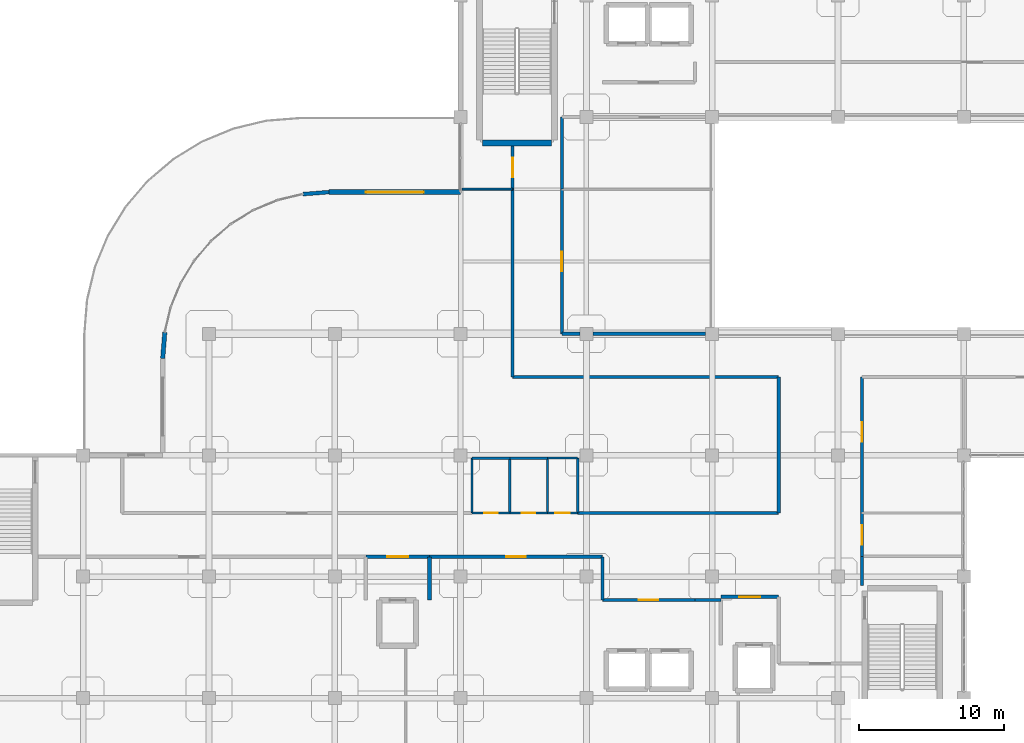
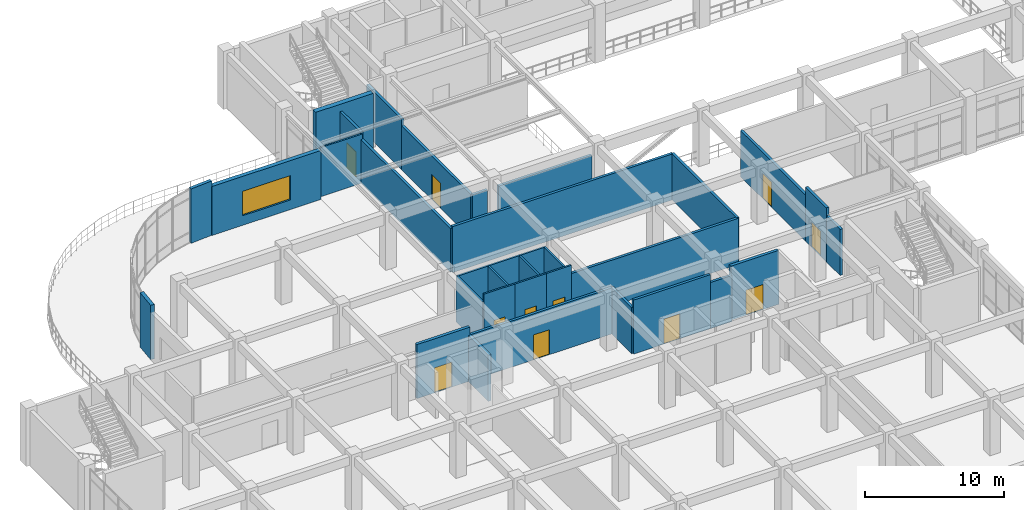
# One storey, part 100 of 120: 34 walls, 11 doors, 1 window, 12 openings.
"""IFC4 building model written with IfcOpenShell, lengths in metres."""

from ifc_helpers import new_model, si_unit, derived_unit, direction, frame, frame_2d, origin, place, context, subcontext, project, spatial, rectangle, extrude, material, layer, layer_set, type_object, element, fill, save


model = new_model("IFC4")

# Units and contexts
model_context = context("Model", 3, precision=1e-05, world=origin(), true_north=direction((0.0, 1.0)))
body_context = subcontext(model_context, "Body", "Model", "MODEL_VIEW")
ifc_project = project(units=[si_unit("LENGTHUNIT", "METRE"), si_unit("AREAUNIT", "SQUARE_METRE"), si_unit("VOLUMEUNIT", "CUBIC_METRE"), si_unit("PLANEANGLEUNIT", "RADIAN"), si_unit("MASSUNIT", "GRAM", prefix="KILO"), derived_unit("THERMALTRANSMITTANCEUNIT", [(si_unit("MASSUNIT", "GRAM", prefix="KILO"), 1), (si_unit("TIMEUNIT", "SECOND"), -3), (si_unit("THERMODYNAMICTEMPERATUREUNIT", "KELVIN"), -1)])], contexts=[model_context])

# Site, building, storey
site_placement = place(None, origin())
site = spatial("IfcSite", under=ifc_project, at=site_placement, CompositionType="ELEMENT")
building_placement = place(site_placement, origin())
building = spatial("IfcBuilding", under=site, at=building_placement, Name="Qinzheling Arcade Emporium", CompositionType="ELEMENT")
storey_placement = place(building_placement, frame((0.0, 0.0, 11.39990234375)))
storey = spatial("IfcBuildingStorey", under=building, at=storey_placement, Name="L03", CompositionType="ELEMENT", Elevation=11.39990234375)

# Wall, opening, door
ifc_material_1 = material(Name="Double-stud acoustic gypsum board partition")
ifc_layer_1 = layer(ifc_material_1, 0.215087890625, Name="Double-stud acoustic gypsum board partition")
ifc_layer_set_1 = layer_set([ifc_layer_1], Name="Double-stud acoustic gypsum board partition")
wall_type_1 = type_object("IfcWallType", Name="Acoustic Corridor Partition Wall 215", PredefinedType="PARTITIONING", material=ifc_layer_set_1)
wall_1_placement = place(storey_placement, frame((44.60009765625, 32.0, 0.0), z_axis=(0.0, 0.0, 1.0), x_axis=(1.0, 0.0, 0.0)))
wall_1 = element("IfcWall", 1, at=wall_1_placement, inside=storey, type_object=wall_type_1, Name="Interior Wall WL-L03-INT-0440", PredefinedType="PARTITIONING", context=body_context, shape_type="SweptSolid", body=[
    extrude(rectangle(XDim=6.39990234375, YDim=0.215087890625, at=frame_2d((3.199951171875, 0.0))), origin(), (0.0, 0.0, 1.0), 4.760009765625),
])
opening_1_placement = place(wall_1_placement, frame((2.52490234375, 0.0, 0.0)))
opening_1 = element("IfcOpeningElement", 2, at=opening_1_placement, cuts=wall_1, Name="Opening FD05", PredefinedType="OPENING", context=body_context, shape_type="SweptSolid", body=[
    extrude(rectangle(XDim=1.35009765625, YDim=2.199951171875, at=frame_2d((0.675048828125, 1.10009765625))), frame((0.0, 0.11767578125, 0.0), z_axis=(0.0, -1.0, 0.0), x_axis=(1.0, 0.0, 0.0)), (0.0, 0.0, 1.0), 0.235107421875),
])
ifc_material_2 = material(Name="Class B fire-rated stainless-clad door")
door_type_1 = type_object("IfcDoorType", Name="Kitchen Fire-Rated Service Door 1350x2200", OperationType="NOTDEFINED", PredefinedType="DOOR", material=ifc_material_2)
door_1_placement = place(opening_1_placement, origin())
door_1 = element("IfcDoor", 3, at=door_1_placement, inside=storey, type_object=door_type_1, Name="FD05 Interior Door DR-L03-INT-0121", OperationType="SINGLE_SWING_LEFT", OverallHeight=2.199951171875, OverallWidth=1.35009765625, PredefinedType="DOOR", context=body_context, shape_type="SweptSolid", body=[
    extrude(rectangle(XDim=1.35009765625, YDim=2.199951171875, at=frame_2d((0.675048828125, 1.10009765625))), frame((0.0, 0.02490234375, 0.0), z_axis=(0.0, -1.0, 0.0), x_axis=(1.0, 0.0, 0.0)), (0.0, 0.0, 1.0), 0.050048828125),
])
fill(opening_1, door_1)

wall_2_placement = place(storey_placement, frame((62.550048828125, 47.39990234375, 0.0), z_axis=(0.0, 0.0, 1.0), x_axis=(0.0, -1.0, 0.0)))
wall_2 = element("IfcWall", 4, at=wall_2_placement, inside=storey, type_object=wall_type_1, Name="Interior Wall WL-L03-INT-0467", PredefinedType="PARTITIONING", context=body_context, shape_type="SweptSolid", body=[
    extrude(rectangle(XDim=9.39990234375, YDim=0.215087890625, at=frame_2d((4.699951171875, 0.0))), origin(), (0.0, 0.0, 1.0), 4.06005859375),
])
opening_2_placement = place(wall_2_placement, frame((3.125, 0.0, 0.0)))
opening_2 = element("IfcOpeningElement", 5, at=opening_2_placement, cuts=wall_2, Name="Opening FD05", PredefinedType="OPENING", context=body_context, shape_type="SweptSolid", body=[
    extrude(rectangle(XDim=1.35009765625, YDim=2.199951171875, at=frame_2d((0.675048828125, 1.10009765625))), frame((0.0, 0.11767578125, 0.0), z_axis=(0.0, -1.0, 0.0), x_axis=(1.0, 0.0, 0.0)), (0.0, 0.0, 1.0), 0.235107421875),
])
door_2_placement = place(opening_2_placement, origin())
door_2 = element("IfcDoor", 6, at=door_2_placement, inside=storey, type_object=door_type_1, Name="FD05 Interior Door DR-L03-INT-0131", OperationType="SINGLE_SWING_LEFT", OverallHeight=2.199951171875, OverallWidth=1.35009765625, PredefinedType="DOOR", context=body_context, shape_type="SweptSolid", body=[
    extrude(rectangle(XDim=1.35009765625, YDim=2.199951171875, at=frame_2d((0.675048828125, 1.10009765625))), frame((0.0, 0.02490234375, 0.0), z_axis=(0.0, -1.0, 0.0), x_axis=(1.0, 0.0, 0.0)), (0.0, 0.0, 1.0), 0.050048828125),
])
fill(opening_2, door_2)

# Walls
wall_3_placement = place(storey_placement, frame((42.89990234375, 38.0, 0.0), z_axis=(0.0, 0.0, 1.0), x_axis=(1.0, 0.0, 0.0)))
element("IfcWall", 7, at=wall_3_placement, inside=storey, type_object=wall_type_1, Name="Interior Wall WL-L03-INT-0470", PredefinedType="PARTITIONING", context=body_context, shape_type="SweptSolid", body=[
    extrude(rectangle(XDim=13.900146484375, YDim=0.215087890625, at=frame_2d((6.9501953125, 0.0))), origin(), (0.0, 0.0, 1.0), 4.06005859375),
])
wall_4_placement = place(storey_placement, frame((56.800048828125, 38.0, 0.0), z_axis=(0.0, 0.0, 1.0), x_axis=(0.0, 1.0, 0.0)))
element("IfcWall", 8, at=wall_4_placement, inside=storey, type_object=wall_type_1, Name="Interior Wall WL-L03-INT-0471", PredefinedType="PARTITIONING", context=body_context, shape_type="SweptSolid", body=[
    extrude(rectangle(XDim=9.39990234375, YDim=0.215087890625, at=frame_2d((4.699951171875, 0.0))), origin(), (0.0, 0.0, 1.0), 4.06005859375),
])
wall_5_placement = place(storey_placement, frame((56.800048828125, 47.39990234375, 0.0), z_axis=(0.0, 0.0, 1.0), x_axis=(-1.0, 0.0, 0.0)))
element("IfcWall", 9, at=wall_5_placement, inside=storey, type_object=wall_type_1, Name="Interior Wall WL-L03-INT-0472", PredefinedType="PARTITIONING", context=body_context, shape_type="SweptSolid", body=[
    extrude(rectangle(XDim=18.400146484375, YDim=0.215087890625, at=frame_2d((9.2001953125, 0.0))), origin(), (0.0, 0.0, 1.0), 4.06005859375),
])
wall_6_placement = place(storey_placement, frame((38.39990234375, 47.39990234375, 0.0), z_axis=(0.0, 0.0, 1.0), x_axis=(0.0, 1.0, 0.0)))
element("IfcWall", 10, at=wall_6_placement, inside=storey, type_object=wall_type_1, Name="Interior Wall WL-L03-INT-0473", PredefinedType="PARTITIONING", context=body_context, shape_type="SweptSolid", body=[
    extrude(rectangle(XDim=13.0, YDim=0.215087890625, at=frame_2d((6.5, 0.0))), origin(), (0.0, 0.0, 1.0), 3.860107421875),
])

# Wall, opening, door
wall_7_placement = place(storey_placement, frame((41.800048828125, 60.39990234375, 0.0), z_axis=(0.0, 0.0, 1.0), x_axis=(0.0, -1.0, 0.0)))
wall_7 = element("IfcWall", 11, at=wall_7_placement, inside=storey, type_object=wall_type_1, Name="Interior Wall WL-L03-INT-0474", PredefinedType="PARTITIONING", context=body_context, shape_type="SweptSolid", body=[
    extrude(rectangle(XDim=10.0, YDim=0.215087890625, at=frame_2d((5.0, 0.0))), origin(), (0.0, 0.0, 1.0), 3.860107421875),
])
opening_3_placement = place(wall_7_placement, frame((4.324951171875, 0.0, 0.0)))
opening_3 = element("IfcOpeningElement", 12, at=opening_3_placement, cuts=wall_7, Name="Opening FD05", PredefinedType="OPENING", context=body_context, shape_type="SweptSolid", body=[
    extrude(rectangle(XDim=1.35009765625, YDim=2.199951171875, at=frame_2d((0.675048828125, 1.10009765625))), frame((0.0, 0.11767578125, 0.0), z_axis=(0.0, -1.0, 0.0), x_axis=(1.0, 0.0, 0.0)), (0.0, 0.0, 1.0), 0.235107421875),
])
door_3_placement = place(opening_3_placement, origin())
door_3 = element("IfcDoor", 13, at=door_3_placement, inside=storey, type_object=door_type_1, Name="FD05 Interior Door DR-L03-INT-0133", OperationType="SINGLE_SWING_LEFT", OverallHeight=2.199951171875, OverallWidth=1.35009765625, PredefinedType="DOOR", context=body_context, shape_type="SweptSolid", body=[
    extrude(rectangle(XDim=1.35009765625, YDim=2.199951171875, at=frame_2d((0.675048828125, 1.10009765625))), frame((0.0, 0.02490234375, 0.0), z_axis=(0.0, -1.0, 0.0), x_axis=(1.0, 0.0, 0.0)), (0.0, 0.0, 1.0), 0.050048828125),
])
fill(opening_3, door_3)

# Walls
wall_8_placement = place(storey_placement, frame((41.800048828125, 50.39990234375, 0.0), z_axis=(0.0, 0.0, 1.0), x_axis=(1.0, 0.0, 0.0)))
element("IfcWall", 14, at=wall_8_placement, inside=storey, type_object=wall_type_1, Name="Interior Wall WL-L03-INT-0475", PredefinedType="PARTITIONING", context=body_context, shape_type="SweptSolid", body=[
    extrude(rectangle(XDim=1.239990234375, YDim=0.215087890625, at=frame_2d((0.6201171875, 0.0))), origin(), (0.0, 0.0, 1.0), 3.860107421875),
])
wall_9_placement = place(storey_placement, frame((43.9599609375, 50.39990234375, 0.0), z_axis=(0.0, 0.0, 1.0), x_axis=(1.0, 0.0, 0.0)))
element("IfcWall", 15, at=wall_9_placement, inside=storey, type_object=wall_type_1, Name="Interior Wall WL-L03-INT-0476", PredefinedType="PARTITIONING", context=body_context, shape_type="SweptSolid", body=[
    extrude(rectangle(XDim=7.780029296875, YDim=0.215087890625, at=frame_2d((3.89013671875, 0.0))), origin(), (0.0, 0.0, 1.0), 3.860107421875),
])
wall_10_placement = place(storey_placement, frame((44.60009765625, 32.0, 0.0), z_axis=(0.0, 0.0, 1.0), x_axis=(0.0, 1.0, 0.0)))
element("IfcWall", 16, at=wall_10_placement, inside=storey, type_object=wall_type_1, Name="Interior Wall WL-L03-INT-0478", PredefinedType="PARTITIONING", context=body_context, shape_type="SweptSolid", body=[
    extrude(rectangle(XDim=2.97998046875, YDim=0.215087890625, at=frame_2d((1.489990234375, 0.0))), origin(), (0.0, 0.0, 1.0), 4.06005859375),
])

# Wall, opening, door
wall_11_placement = place(storey_placement, frame((44.60009765625, 34.97998046875, 0.0), z_axis=(0.0, 0.0, 1.0), x_axis=(-1.0, 0.0, 0.0)))
wall_11 = element("IfcWall", 17, at=wall_11_placement, inside=storey, type_object=wall_type_1, Name="Interior Wall WL-L03-INT-0479", PredefinedType="PARTITIONING", context=body_context, shape_type="SweptSolid", body=[
    extrude(rectangle(XDim=11.9501953125, YDim=0.215087890625, at=frame_2d((5.97509765625, 0.0))), origin(), (0.0, 0.0, 1.0), 4.06005859375),
])
opening_4_placement = place(wall_11_placement, frame((5.300048828125, 0.0, 0.0)))
opening_4 = element("IfcOpeningElement", 18, at=opening_4_placement, cuts=wall_11, Name="Opening FD05", PredefinedType="OPENING", context=body_context, shape_type="SweptSolid", body=[
    extrude(rectangle(XDim=1.35009765625, YDim=2.199951171875, at=frame_2d((0.675048828125, 1.10009765625))), frame((0.0, 0.11767578125, 0.0), z_axis=(0.0, -1.0, 0.0), x_axis=(1.0, 0.0, 0.0)), (0.0, 0.0, 1.0), 0.235107421875),
])
door_4_placement = place(opening_4_placement, origin())
door_4 = element("IfcDoor", 19, at=door_4_placement, inside=storey, type_object=door_type_1, Name="FD05 Interior Door DR-L03-INT-0135", OperationType="SINGLE_SWING_LEFT", OverallHeight=2.199951171875, OverallWidth=1.35009765625, PredefinedType="DOOR", context=body_context, shape_type="SweptSolid", body=[
    extrude(rectangle(XDim=1.35009765625, YDim=2.199951171875, at=frame_2d((0.675048828125, 1.10009765625))), frame((0.0, 0.02490234375, 0.0), z_axis=(0.0, -1.0, 0.0), x_axis=(1.0, 0.0, 0.0)), (0.0, 0.0, 1.0), 0.050048828125),
])
fill(opening_4, door_4)

# Walls
wall_12_placement = place(storey_placement, frame((52.800048828125, 32.0, 0.0), z_axis=(0.0, 0.0, 1.0), x_axis=(-1.0, 0.0, 0.0)))
element("IfcWall", 20, at=wall_12_placement, inside=storey, type_object=wall_type_1, Name="Interior Wall WL-L03-INT-0480", PredefinedType="PARTITIONING", context=body_context, shape_type="SweptSolid", body=[
    extrude(rectangle(XDim=1.800048828125, YDim=0.215087890625, at=frame_2d((0.89990234375, 0.0))), origin(), (0.0, 0.0, 1.0), 4.06005859375),
])
wall_13_placement = place(storey_placement, frame((62.550048828125, 35.0, 0.0), z_axis=(0.0, 0.0, 1.0), x_axis=(0.0, -1.0, 0.0)))
element("IfcWall", 21, at=wall_13_placement, inside=storey, type_object=wall_type_1, Name="Interior Wall WL-L03-INT-0483", PredefinedType="PARTITIONING", context=body_context, shape_type="SweptSolid", body=[
    extrude(rectangle(XDim=2.0, YDim=0.215087890625, at=frame_2d((1.0, 0.0))), origin(), (0.0, 0.0, 1.0), 4.06005859375),
])
wall_14_placement = place(storey_placement, frame((41.800048828125, 65.39990234375, 0.0), z_axis=(0.0, 0.0, 1.0), x_axis=(0.0, -1.0, 0.0)))
element("IfcWall", 22, at=wall_14_placement, inside=storey, type_object=wall_type_1, Name="Interior Wall WL-L03-INT-0486", PredefinedType="PARTITIONING", context=body_context, shape_type="SweptSolid", body=[
    extrude(rectangle(XDim=5.0, YDim=0.215087890625, at=frame_2d((2.5, 0.0))), origin(), (0.0, 0.0, 1.0), 4.460205078125),
])

# Wall, opening, door
wall_15_placement = place(storey_placement, frame((38.39990234375, 60.39990234375, 0.0), z_axis=(0.0, 0.0, 1.0), x_axis=(0.0, 1.0, 0.0)))
wall_15 = element("IfcWall", 23, at=wall_15_placement, inside=storey, type_object=wall_type_1, Name="Interior Wall WL-L03-INT-0487", PredefinedType="PARTITIONING", context=body_context, shape_type="SweptSolid", body=[
    extrude(rectangle(XDim=2.9951171875, YDim=0.215087890625, at=frame_2d((1.49755859375, 0.0))), origin(), (0.0, 0.0, 1.0), 4.460205078125),
])
opening_5_placement = place(wall_15_placement, frame((0.822998046875, 0.0, 0.0)))
opening_5 = element("IfcOpeningElement", 24, at=opening_5_placement, cuts=wall_15, Name="Opening FD05", PredefinedType="OPENING", context=body_context, shape_type="SweptSolid", body=[
    extrude(rectangle(XDim=1.35009765625, YDim=2.199951171875, at=frame_2d((0.675048828125, 1.10009765625))), frame((0.0, 0.11767578125, 0.0), z_axis=(0.0, -1.0, 0.0), x_axis=(1.0, 0.0, 0.0)), (0.0, 0.0, 1.0), 0.235107421875),
])
door_5_placement = place(opening_5_placement, origin())
door_5 = element("IfcDoor", 25, at=door_5_placement, inside=storey, type_object=door_type_1, Name="FD05 Interior Door DR-L03-INT-0138", OperationType="SINGLE_SWING_RIGHT", OverallHeight=2.199951171875, OverallWidth=1.35009765625, PredefinedType="DOOR", context=body_context, shape_type="SweptSolid", body=[
    extrude(rectangle(XDim=1.35009765625, YDim=2.199951171875, at=frame_2d((0.675048828125, 1.10009765625))), frame((0.0, 0.02490234375, 0.0), z_axis=(0.0, -1.0, 0.0), x_axis=(1.0, 0.0, 0.0)), (0.0, 0.0, 1.0), 0.050048828125),
])
fill(opening_5, door_5)

wall_16_placement = place(storey_placement, frame((62.550048828125, 38.0, 0.0), z_axis=(0.0, 0.0, 1.0), x_axis=(0.0, -1.0, 0.0)))
wall_16 = element("IfcWall", 26, at=wall_16_placement, inside=storey, type_object=wall_type_1, Name="Interior Wall WL-L03-INT-0545", PredefinedType="PARTITIONING", context=body_context, shape_type="SweptSolid", body=[
    extrude(rectangle(XDim=3.0, YDim=0.215087890625, at=frame_2d((1.5, 0.0))), origin(), (0.0, 0.0, 1.0), 4.760009765625),
])
opening_6_placement = place(wall_16_placement, frame((0.824951171875, 0.0, 0.0)))
opening_6 = element("IfcOpeningElement", 27, at=opening_6_placement, cuts=wall_16, Name="Opening FD05", PredefinedType="OPENING", context=body_context, shape_type="SweptSolid", body=[
    extrude(rectangle(XDim=1.35009765625, YDim=2.199951171875, at=frame_2d((0.675048828125, 1.10009765625))), frame((0.0, 0.11767578125, 0.0), z_axis=(0.0, -1.0, 0.0), x_axis=(1.0, 0.0, 0.0)), (0.0, 0.0, 1.0), 0.235107421875),
])
door_6_placement = place(opening_6_placement, origin())
door_6 = element("IfcDoor", 28, at=door_6_placement, inside=storey, type_object=door_type_1, Name="FD05 Interior Door DR-L03-INT-0162", OperationType="SINGLE_SWING_RIGHT", OverallHeight=2.199951171875, OverallWidth=1.35009765625, PredefinedType="DOOR", context=body_context, shape_type="SweptSolid", body=[
    extrude(rectangle(XDim=1.35009765625, YDim=2.199951171875, at=frame_2d((0.675048828125, 1.10009765625))), frame((0.0, 0.02490234375, 0.0), z_axis=(0.0, -1.0, 0.0), x_axis=(1.0, 0.0, 0.0)), (0.0, 0.0, 1.0), 0.050048828125),
])
fill(opening_6, door_6)

# Walls
ifc_material_3 = material(Name="Insulated aluminium-clad spandrel wall", Category="aluminium")
ifc_layer_2 = layer(ifc_material_3, 0.260009765625, Name="Insulated aluminium-clad spandrel wall", Category="aluminium")
ifc_layer_set_2 = layer_set([ifc_layer_2], Name="Insulated aluminium-clad spandrel wall")
wall_type_2 = type_object("IfcWallType", Name="Arcade Clerestory Spandrel Wall 260", PredefinedType="STANDARD", material=ifc_layer_set_2)
wall_17_placement = place(storey_placement, frame((23.90087890625, 60.05810546875, 0.0), z_axis=(0.0, 0.0, 1.0), x_axis=(0.996906243642, 0.078599881606, 0.0)))
element("IfcWall", 29, at=wall_17_placement, inside=storey, type_object=wall_type_2, Name="Exterior Wall WL-L03-EW-0173", PredefinedType="STANDARD", context=body_context, shape_type="SweptSolid", body=[
    extrude(rectangle(XDim=1.8046875, YDim=0.260009765625, at=frame_2d((0.90234375, 0.0))), origin(), (0.0, 0.0, 1.0), 4.7900390625),
])
ifc_material_4 = material(Name="Glazed-transom steel-stud office partition", Category="steel")
ifc_layer_3 = layer(ifc_material_4, 0.135009765625, Name="Glazed-transom steel-stud office partition", Category="steel")
ifc_layer_set_3 = layer_set([ifc_layer_3], Name="Glazed-transom steel-stud office partition")
wall_type_3 = type_object("IfcWallType", Name="Buying Office Acoustic Partition Wall 135", PredefinedType="PARTITIONING", material=ifc_layer_set_3)
wall_18_placement = place(storey_placement, frame((34.89990234375, 60.39990234375, 0.0), z_axis=(0.0, 0.0, 1.0), x_axis=(1.0, 0.0, 0.0)))
element("IfcWall", 30, at=wall_18_placement, inside=storey, type_object=wall_type_3, Name="Interior Wall WL-L03-INT-0548", PredefinedType="PARTITIONING", context=body_context, shape_type="SweptSolid", body=[
    extrude(rectangle(XDim=3.5, YDim=0.135009765625, at=frame_2d((1.75, 0.0))), origin(), (0.0, 0.0, 1.0), 4.322021484375),
])

# Wall, opening, window
ifc_material_5 = material(Name="Celadon glazed terracotta insulated spandrel", Category="masonry")
ifc_layer_4 = layer(ifc_material_5, 0.340087890625, Name="Celadon glazed terracotta insulated spandrel", Category="masonry")
ifc_layer_set_4 = layer_set([ifc_layer_4], Name="Celadon glazed terracotta insulated spandrel")
wall_type_4 = type_object("IfcWallType", Name="Celadon Spandrel Infill Wall 340", PredefinedType="STANDARD", material=ifc_layer_set_4)
wall_19_placement = place(storey_placement, frame((25.699951171875, 60.199951171875, 0.0), z_axis=(0.0, 0.0, 1.0), x_axis=(1.0, 0.0, 0.0)))
wall_19 = element("IfcWall", 31, at=wall_19_placement, inside=storey, type_object=wall_type_4, Name="Exterior Wall WL-L03-EW-0174", PredefinedType="STANDARD", context=body_context, shape_type="SweptSolid", body=[
    extrude(rectangle(XDim=9.10009765625, YDim=0.340087890625, at=frame_2d((4.550048828125, 0.0))), origin(), (0.0, 0.0, 1.0), 4.317138671875),
])
opening_7_placement = place(wall_19_placement, frame((2.550048828125, 0.0, 0.85009765625)))
opening_7 = element("IfcOpeningElement", 32, at=opening_7_placement, cuts=wall_19, Name="Opening WN17", PredefinedType="OPENING", context=body_context, shape_type="SweptSolid", body=[
    extrude(rectangle(XDim=4.0, YDim=2.14990234375, at=frame_2d((2.0, 1.074951171875))), frame((0.0, 0.18017578125, 0.0), z_axis=(0.0, -1.0, 0.0), x_axis=(1.0, 0.0, 0.0)), (0.0, 0.0, 1.0), 0.360107421875),
])
ifc_material_6 = material(Name="Thermally broken aluminium frame with solar-control double glazing", Category="aluminium")
window_type = type_object("IfcWindowType", Name="Chicago Tripartite Window 4000x2150", PartitioningType="TRIPLE_PANEL_VERTICAL", PredefinedType="WINDOW", material=ifc_material_6)
window_placement = place(opening_7_placement, origin())
window = element("IfcWindow", 33, at=window_placement, inside=storey, type_object=window_type, Name="WN17 Window WN-L03-0043", OverallHeight=2.14990234375, OverallWidth=4.0, PartitioningType="TRIPLE_PANEL_VERTICAL", PredefinedType="WINDOW", context=body_context, shape_type="SweptSolid", body=[
    extrude(rectangle(XDim=4.0, YDim=2.14990234375, at=frame_2d((2.0, 1.074951171875))), frame((0.0, 0.030029296875, 0.0), z_axis=(0.0, -1.0, 0.0), x_axis=(1.0, 0.0, 0.0)), (0.0, 0.0, 1.0), 0.06005859375),
])
fill(opening_7, window)

# Wall, opening, door
ifc_material_7 = material(Name="Fire-rated double-stud gypsum and mineral wool wall")
ifc_layer_5 = layer(ifc_material_7, 0.2451171875, Name="Fire-rated double-stud gypsum and mineral wool wall")
ifc_layer_set_5 = layer_set([ifc_layer_5], Name="Fire-rated double-stud gypsum and mineral wool wall")
wall_type_5 = type_object("IfcWallType", Name="Firefighting Lobby Rated Wall 245", PredefinedType="STANDARD", material=ifc_layer_set_5)
wall_20_placement = place(storey_placement, frame((52.800048828125, 32.199951171875, 0.0), z_axis=(0.0, 0.0, 1.0), x_axis=(1.0, 0.0, 0.0)))
wall_20 = element("IfcWall", 34, at=wall_20_placement, inside=storey, type_object=wall_type_5, Name="Interior Wall WL-L03-INT-0431", PredefinedType="STANDARD", context=body_context, shape_type="SweptSolid", body=[
    extrude(rectangle(XDim=4.0, YDim=0.2451171875, at=frame_2d((2.0, 0.0))), origin(), (0.0, 0.0, 1.0), 4.760009765625),
])
opening_8_placement = place(wall_20_placement, frame((1.27490234375, 0.0, 0.0)))
opening_8 = element("IfcOpeningElement", 35, at=opening_8_placement, cuts=wall_20, Name="Opening FD02", PredefinedType="OPENING", context=body_context, shape_type="SweptSolid", body=[
    extrude(rectangle(XDim=1.449951171875, YDim=2.199951171875, at=frame_2d((0.72509765625, 1.10009765625))), frame((0.0, 0.132568359375, 0.0), z_axis=(0.0, -1.0, 0.0), x_axis=(1.0, 0.0, 0.0)), (0.0, 0.0, 1.0), 0.26513671875),
])
ifc_material_8 = material(Name="Class A fire-rated steel double door", Category="steel")
door_type_2 = type_object("IfcDoorType", Name="Firefighting Lobby Fire Door 1450x2200", OperationType="DOUBLE_DOOR_SINGLE_SWING", PredefinedType="DOOR", material=ifc_material_8)
door_7_placement = place(opening_8_placement, origin())
door_7 = element("IfcDoor", 36, at=door_7_placement, inside=storey, type_object=door_type_2, Name="FD02 Interior Door DR-L03-INT-0118", OperationType="DOUBLE_DOOR_SINGLE_SWING", OverallHeight=2.199951171875, OverallWidth=1.449951171875, PredefinedType="DOOR", context=body_context, shape_type="SweptSolid", body=[
    extrude(rectangle(XDim=1.449951171875, YDim=2.199951171875, at=frame_2d((0.72509765625, 1.10009765625))), frame((0.0, 0.02490234375, 0.0), z_axis=(0.0, -1.0, 0.0), x_axis=(1.0, 0.0, 0.0)), (0.0, 0.0, 1.0), 0.050048828125),
])
fill(opening_8, door_7)

wall_21_placement = place(storey_placement, frame((28.25, 34.97998046875, 0.0), z_axis=(0.0, 0.0, 1.0), x_axis=(1.0, 0.0, 0.0)))
wall_21 = element("IfcWall", 37, at=wall_21_placement, inside=storey, type_object=wall_type_5, Name="Interior Wall WL-L03-INT-0434", PredefinedType="STANDARD", context=body_context, shape_type="SweptSolid", body=[
    extrude(rectangle(XDim=4.39990234375, YDim=0.2451171875, at=frame_2d((2.199951171875, 0.0))), origin(), (0.0, 0.0, 1.0), 4.760009765625),
])
opening_9_placement = place(wall_21_placement, frame((1.47509765625, 0.0, 0.0)))
opening_9 = element("IfcOpeningElement", 38, at=opening_9_placement, cuts=wall_21, Name="Opening FD02", PredefinedType="OPENING", context=body_context, shape_type="SweptSolid", body=[
    extrude(rectangle(XDim=1.449951171875, YDim=2.199951171875, at=frame_2d((0.72509765625, 1.10009765625))), frame((0.0, 0.132568359375, 0.0), z_axis=(0.0, -1.0, 0.0), x_axis=(1.0, 0.0, 0.0)), (0.0, 0.0, 1.0), 0.26513671875),
])
door_8_placement = place(opening_9_placement, origin())
door_8 = element("IfcDoor", 39, at=door_8_placement, inside=storey, type_object=door_type_2, Name="FD02 Interior Door DR-L03-INT-0119", OperationType="DOUBLE_DOOR_SINGLE_SWING", OverallHeight=2.199951171875, OverallWidth=1.449951171875, PredefinedType="DOOR", context=body_context, shape_type="SweptSolid", body=[
    extrude(rectangle(XDim=1.449951171875, YDim=2.199951171875, at=frame_2d((0.72509765625, 1.10009765625))), frame((0.0, 0.02490234375, 0.0), z_axis=(0.0, -1.0, 0.0), x_axis=(1.0, 0.0, 0.0)), (0.0, 0.0, 1.0), 0.050048828125),
])
fill(opening_9, door_8)

# Walls
wall_22_placement = place(storey_placement, frame((32.64990234375, 34.97998046875, 0.0), z_axis=(0.0, 0.0, 1.0), x_axis=(0.0, -1.0, 0.0)))
element("IfcWall", 40, at=wall_22_placement, inside=storey, type_object=wall_type_5, Name="Interior Wall WL-L03-INT-0436", PredefinedType="STANDARD", context=body_context, shape_type="SweptSolid", body=[
    extrude(rectangle(XDim=3.0, YDim=0.2451171875, at=frame_2d((1.5, 0.0))), origin(), (0.0, 0.0, 1.0), 4.06005859375),
])
ifc_material_9 = material(Name="Moisture-resistant shaftliner gypsum board")
ifc_layer_6 = layer(ifc_material_9, 0.155029296875, Name="Moisture-resistant shaftliner gypsum board")
ifc_layer_set_6 = layer_set([ifc_layer_6], Name="Moisture-resistant shaftliner gypsum board")
wall_type_6 = type_object("IfcWallType", Name="Plumbing and Service Riser Wall 155", PredefinedType="MOVABLE", material=ifc_layer_set_6)
wall_23_placement = place(storey_placement, frame((38.199951171875, 41.800048828125, 0.0), z_axis=(0.0, 0.0, 1.0), x_axis=(0.0, -1.0, 0.0)))
element("IfcWall", 41, at=wall_23_placement, inside=storey, type_object=wall_type_6, Name="Interior Wall WL-L03-INT-0451", PredefinedType="MOVABLE", context=body_context, shape_type="SweptSolid", body=[
    extrude(rectangle(XDim=3.800048828125, YDim=0.155029296875, at=frame_2d((1.89990234375, 0.0))), origin(), (0.0, 0.0, 1.0), 4.06005859375),
])
wall_24_placement = place(storey_placement, frame((35.60009765625, 41.800048828125, 0.0), z_axis=(0.0, 0.0, 1.0), x_axis=(1.0, 0.0, 0.0)))
element("IfcWall", 42, at=wall_24_placement, inside=storey, type_object=wall_type_6, Name="Interior Wall WL-L03-INT-0454", PredefinedType="MOVABLE", context=body_context, shape_type="SweptSolid", body=[
    extrude(rectangle(XDim=2.599853515625, YDim=0.155029296875, at=frame_2d((1.2998046875, 0.0))), origin(), (0.0, 0.0, 1.0), 4.06005859375),
])
wall_25_placement = place(storey_placement, frame((38.199951171875, 41.800048828125, 0.0), z_axis=(0.0, 0.0, 1.0), x_axis=(1.0, 0.0, 0.0)))
element("IfcWall", 43, at=wall_25_placement, inside=storey, type_object=wall_type_6, Name="Interior Wall WL-L03-INT-0457", PredefinedType="MOVABLE", context=body_context, shape_type="SweptSolid", body=[
    extrude(rectangle(XDim=2.60009765625, YDim=0.155029296875, at=frame_2d((1.300048828125, 0.0))), origin(), (0.0, 0.0, 1.0), 4.06005859375),
])
wall_26_placement = place(storey_placement, frame((42.89990234375, 41.800048828125, 0.0), z_axis=(0.0, 0.0, 1.0), x_axis=(0.0, -1.0, 0.0)))
element("IfcWall", 44, at=wall_26_placement, inside=storey, type_object=wall_type_6, Name="Interior Wall WL-L03-INT-0460", PredefinedType="MOVABLE", context=body_context, shape_type="SweptSolid", body=[
    extrude(rectangle(XDim=3.800048828125, YDim=0.155029296875, at=frame_2d((1.89990234375, 0.0))), origin(), (0.0, 0.0, 1.0), 4.06005859375),
])
ifc_material_10 = material(Name="Concrete C50", Category="concrete")
ifc_layer_7 = layer(ifc_material_10, 0.39990234375, Name="Concrete C50", Category="concrete")
ifc_layer_set_7 = layer_set([ifc_layer_7], Name="Concrete C50")
wall_type_7 = type_object("IfcWallType", Name="RC Stair Core Shear Wall 400 C50", PredefinedType="SHEAR", material=ifc_layer_set_7)
wall_27_placement = place(storey_placement, frame((41.090087890625, 63.60009765625, 0.0), z_axis=(0.0, 0.0, 1.0), x_axis=(-1.0, 0.0, 0.0)))
element("IfcWall", 45, at=wall_27_placement, inside=storey, type_object=wall_type_7, Name="Stair Core Wall WL-L03-ST03-SOUTH", PredefinedType="SHEAR", context=body_context, shape_type="SweptSolid", body=[
    extrude(rectangle(XDim=4.7900390625, YDim=0.39990234375, at=frame_2d((2.39501953125, 0.0))), origin(), (0.0, 0.0, 1.0), 5.10009765625),
])
ifc_material_11 = material(Name="Glazed cream terracotta insulated wall", Category="masonry")
ifc_layer_8 = layer(ifc_material_11, 0.300048828125, Name="Glazed cream terracotta insulated wall", Category="masonry")
ifc_layer_set_8 = layer_set([ifc_layer_8], Name="Glazed cream terracotta insulated wall")
wall_type_8 = type_object("IfcWallType", Name="Terrace Facade Infill Wall 300", PredefinedType="STANDARD", material=ifc_layer_set_8)
wall_28_placement = place(storey_placement, frame((14.199951171875, 48.699951171875, 0.0), z_axis=(0.0, 0.0, 1.0), x_axis=(0.078734327475, 0.996895634295, 0.0)))
element("IfcWall", 46, at=wall_28_placement, inside=storey, type_object=wall_type_8, Name="Exterior Wall WL-L03-EW-0172", PredefinedType="STANDARD", context=body_context, shape_type="SweptSolid", body=[
    extrude(rectangle(XDim=1.8046875, YDim=0.300048828125, at=frame_2d((0.90234375, 0.0))), origin(), (0.0, 0.0, 1.0), 4.7900390625),
])

# Wall, opening, door
ifc_material_12 = material(Name="Moisture-resistant cement-board WC partition")
ifc_layer_9 = layer(ifc_material_12, 0.14501953125, Name="Moisture-resistant cement-board WC partition")
ifc_layer_set_9 = layer_set([ifc_layer_9], Name="Moisture-resistant cement-board WC partition")
wall_type_9 = type_object("IfcWallType", Name="Washroom Moisture Partition Wall 145", PredefinedType="PARTITIONING", material=ifc_layer_set_9)
wall_29_placement = place(storey_placement, frame((38.199951171875, 38.0, 0.0), z_axis=(0.0, 0.0, 1.0), x_axis=(-1.0, 0.0, 0.0)))
wall_29 = element("IfcWall", 47, at=wall_29_placement, inside=storey, type_object=wall_type_9, Name="Interior Wall WL-L03-INT-0452", PredefinedType="PARTITIONING", context=body_context, shape_type="SweptSolid", body=[
    extrude(rectangle(XDim=2.599853515625, YDim=0.14501953125, at=frame_2d((1.2998046875, 0.0))), origin(), (0.0, 0.0, 1.0), 4.760009765625),
])
opening_10_placement = place(wall_29_placement, frame((0.824951171875, 0.0, 0.0)))
opening_10 = element("IfcOpeningElement", 48, at=opening_10_placement, cuts=wall_29, Name="Opening D12", PredefinedType="OPENING", context=body_context, shape_type="SweptSolid", body=[
    extrude(rectangle(XDim=0.949951171875, YDim=2.14990234375, at=frame_2d((0.47509765625, 1.074951171875))), frame((0.0, 0.08251953125, 0.0), z_axis=(0.0, -1.0, 0.0), x_axis=(1.0, 0.0, 0.0)), (0.0, 0.0, 1.0), 0.1650390625),
])
ifc_material_13 = material(Name="Antimicrobial high-pressure laminate door")
door_type_3 = type_object("IfcDoorType", Name="Public Male Washroom Door 950x2150", OperationType="NOTDEFINED", PredefinedType="DOOR", material=ifc_material_13)
door_9_placement = place(opening_10_placement, origin())
door_9 = element("IfcDoor", 49, at=door_9_placement, inside=storey, type_object=door_type_3, Name="D12 Interior Door DR-L03-INT-0126", OperationType="SINGLE_SWING_RIGHT", OverallHeight=2.14990234375, OverallWidth=0.949951171875, PredefinedType="DOOR", context=body_context, shape_type="SweptSolid", body=[
    extrude(rectangle(XDim=0.949951171875, YDim=2.14990234375, at=frame_2d((0.47509765625, 1.074951171875))), frame((0.0, 0.02490234375, 0.0), z_axis=(0.0, -1.0, 0.0), x_axis=(1.0, 0.0, 0.0)), (0.0, 0.0, 1.0), 0.050048828125),
])
fill(opening_10, door_9)

# Walls
for number, where, z_axis, x_axis, name in (
    (50, (35.60009765625, 38.0, 0.0), (0.0, 0.0, 1.0), (0.0, 1.0, 0.0), "Interior Wall WL-L03-INT-0453"),
    (51, (40.800048828125, 41.800048828125, 0.0), (0.0, 0.0, 1.0), (0.0, -1.0, 0.0), "Interior Wall WL-L03-INT-0455"),
):
    element("IfcWall", number, at=place(storey_placement, frame(where, z_axis=z_axis, x_axis=x_axis)), inside=storey, type_object=wall_type_9, Name=name, PredefinedType="PARTITIONING", context=body_context, shape_type="SweptSolid", body=[
        extrude(rectangle(XDim=3.800048828125, YDim=0.14501953125, at=frame_2d((1.89990234375, 0.0))), origin(), (0.0, 0.0, 1.0), 4.06005859375),
    ])

# Wall, opening, door
wall_30_placement = place(storey_placement, frame((40.800048828125, 38.0, 0.0), z_axis=(0.0, 0.0, 1.0), x_axis=(-1.0, 0.0, 0.0)))
wall_30 = element("IfcWall", 52, at=wall_30_placement, inside=storey, type_object=wall_type_9, Name="Interior Wall WL-L03-INT-0456", PredefinedType="PARTITIONING", context=body_context, shape_type="SweptSolid", body=[
    extrude(rectangle(XDim=2.60009765625, YDim=0.14501953125, at=frame_2d((1.300048828125, 0.0))), origin(), (0.0, 0.0, 1.0), 4.760009765625),
])
opening_11_placement = place(wall_30_placement, frame((0.824951171875, 0.0, 0.0)))
opening_11 = element("IfcOpeningElement", 53, at=opening_11_placement, cuts=wall_30, Name="Opening D13", PredefinedType="OPENING", context=body_context, shape_type="SweptSolid", body=[
    extrude(rectangle(XDim=0.949951171875, YDim=2.199951171875, at=frame_2d((0.47509765625, 1.10009765625))), frame((0.0, 0.08251953125, 0.0), z_axis=(0.0, -1.0, 0.0), x_axis=(1.0, 0.0, 0.0)), (0.0, 0.0, 1.0), 0.1650390625),
])
door_type_4 = type_object("IfcDoorType", Name="Public Female Washroom Door 950x2200", OperationType="NOTDEFINED", PredefinedType="DOOR", material=ifc_material_13)
door_10_placement = place(opening_11_placement, origin())
door_10 = element("IfcDoor", 54, at=door_10_placement, inside=storey, type_object=door_type_4, Name="D13 Interior Door DR-L03-INT-0127", OperationType="SINGLE_SWING_LEFT", OverallHeight=2.199951171875, OverallWidth=0.949951171875, PredefinedType="DOOR", context=body_context, shape_type="SweptSolid", body=[
    extrude(rectangle(XDim=0.949951171875, YDim=2.199951171875, at=frame_2d((0.47509765625, 1.10009765625))), frame((0.0, 0.02490234375, 0.0), z_axis=(0.0, -1.0, 0.0), x_axis=(1.0, 0.0, 0.0)), (0.0, 0.0, 1.0), 0.050048828125),
])
fill(opening_11, door_10)

wall_31_placement = place(storey_placement, frame((42.89990234375, 38.0, 0.0), z_axis=(0.0, 0.0, 1.0), x_axis=(-1.0, 0.0, 0.0)))
wall_31 = element("IfcWall", 55, at=wall_31_placement, inside=storey, type_object=wall_type_9, Name="Interior Wall WL-L03-INT-0458", PredefinedType="PARTITIONING", context=body_context, shape_type="SweptSolid", body=[
    extrude(rectangle(XDim=2.099853515625, YDim=0.14501953125, at=frame_2d((1.0498046875, 0.0))), origin(), (0.0, 0.0, 1.0), 4.760009765625),
])
opening_12_placement = place(wall_31_placement, frame((0.550048828125, 0.0, 0.0)))
opening_12 = element("IfcOpeningElement", 56, at=opening_12_placement, cuts=wall_31, Name="Opening D11", PredefinedType="OPENING", context=body_context, shape_type="SweptSolid", body=[
    extrude(rectangle(XDim=1.0, YDim=2.14990234375, at=frame_2d((0.5, 1.074951171875))), frame((0.0, 0.08251953125, 0.0), z_axis=(0.0, -1.0, 0.0), x_axis=(1.0, 0.0, 0.0)), (0.0, 0.0, 1.0), 0.1650390625),
])
door_type_5 = type_object("IfcDoorType", Name="Accessible Washroom Door 1000x2150", OperationType="NOTDEFINED", PredefinedType="DOOR", material=ifc_material_13)
door_11_placement = place(opening_12_placement, origin())
door_11 = element("IfcDoor", 57, at=door_11_placement, inside=storey, type_object=door_type_5, Name="D11 Interior Door DR-L03-INT-0128", OperationType="SINGLE_SWING_RIGHT", OverallHeight=2.14990234375, OverallWidth=1.0, PredefinedType="DOOR", context=body_context, shape_type="SweptSolid", body=[
    extrude(rectangle(XDim=1.0, YDim=2.14990234375, at=frame_2d((0.5, 1.074951171875))), frame((0.0, 0.02490234375, 0.0), z_axis=(0.0, -1.0, 0.0), x_axis=(1.0, 0.0, 0.0)), (0.0, 0.0, 1.0), 0.050048828125),
])
fill(opening_12, door_11)

# Wall
wall_32_placement = place(storey_placement, frame((40.800048828125, 41.800048828125, 0.0), z_axis=(0.0, 0.0, 1.0), x_axis=(1.0, 0.0, 0.0)))
element("IfcWall", 58, at=wall_32_placement, inside=storey, type_object=wall_type_9, Name="Interior Wall WL-L03-INT-0459", PredefinedType="PARTITIONING", context=body_context, shape_type="SweptSolid", body=[
    extrude(rectangle(XDim=2.099853515625, YDim=0.14501953125, at=frame_2d((1.0498046875, 0.0))), origin(), (0.0, 0.0, 1.0), 4.06005859375),
])

save(model, "model.ifc")
